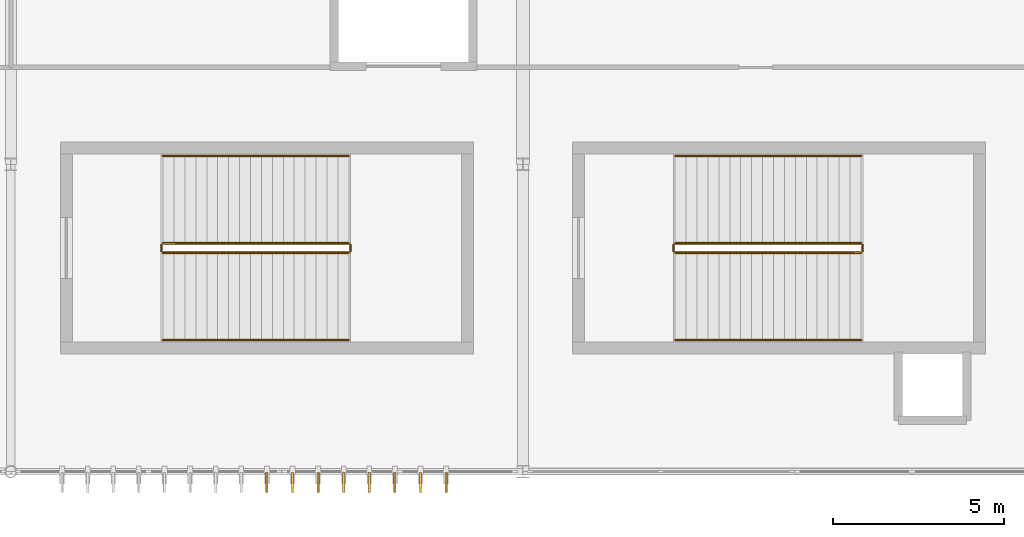
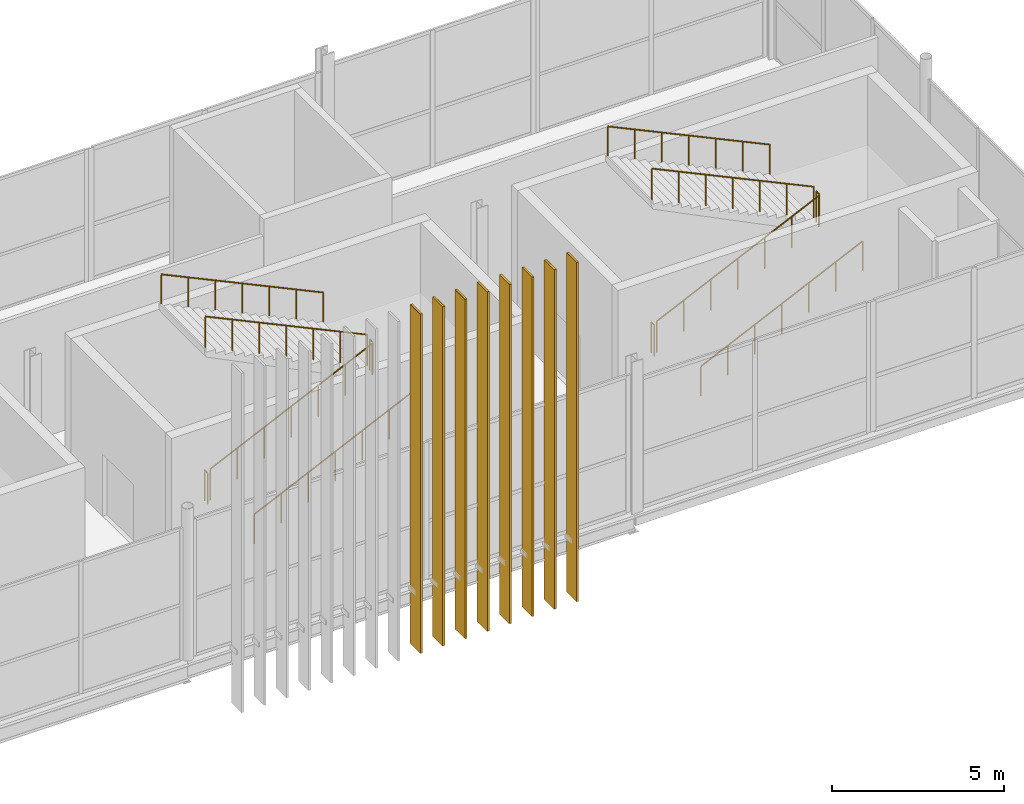
# One storey, part 107 of 119: 12 railings, 8 coverings, 8 shading devices.
"""IFC4 building model written with IfcOpenShell, lengths in metres."""

from ifc_helpers import new_model, si_unit, direction, frame, origin, origin_2d, place, context, subcontext, project, spatial, rectangle, circle, extrude, material, layer, layer_set, type_object, element, save


model = new_model("IFC4")

# Units and contexts
model_context = context("Model", 3, precision=1e-05, world=origin(), true_north=direction((0.0, 1.0)))
body_context = subcontext(model_context, "Body", "Model", "MODEL_VIEW")
ifc_project = project(units=[si_unit("LENGTHUNIT", "METRE"), si_unit("AREAUNIT", "SQUARE_METRE"), si_unit("VOLUMEUNIT", "CUBIC_METRE"), si_unit("PLANEANGLEUNIT", "RADIAN"), si_unit("MASSUNIT", "GRAM", prefix="KILO")], contexts=[model_context])

# Site, building, storey
site_placement = place(None, origin())
site = spatial("IfcSite", under=ifc_project, at=site_placement, CompositionType="ELEMENT")
building_placement = place(site_placement, origin())
building = spatial("IfcBuilding", under=site, at=building_placement, Name="Qamarlyn Nura Convention Centre", CompositionType="ELEMENT")
storey_placement = place(building_placement, frame((0.0, 0.0, 5.39990234375)))
storey = spatial("IfcBuildingStorey", under=building, at=storey_placement, Name="L01", CompositionType="ELEMENT", Elevation=5.39990234375)

# Coverings
ifc_material_1 = material(Name="UAE coastal limestone stone cladding", Category="masonry")
ifc_layer = layer(ifc_material_1, 0.044921875, Name="COV-PLINTH-LIME")
ifc_layer_set = layer_set([ifc_layer], Name="UAE coastal limestone stone cladding")
covering_type = type_object("IfcCoveringType", Name="COV-PLINTH-LIME", PredefinedType="CLADDING", material=ifc_layer_set)
for number, where, z_axis, x_axis, name in (
    (1, (97.5, -0.320068359375, -2.10009765625), (0.0, 0.0, 1.0), (0.0, -1.0, 0.0), "Entrance vertical blade casing CLUST-A-09"),
    (2, (98.25, -0.320068359375, -2.10009765625), (0.0, 0.0, 1.0), (0.0, -1.0, 0.0), "Entrance vertical blade casing CLUST-A-10"),
    (3, (99.0, -0.320068359375, -2.10009765625), (0.0, 0.0, 1.0), (0.0, -1.0, 0.0), "Entrance vertical blade casing CLUST-A-11"),
    (4, (99.75, -0.320068359375, -2.10009765625), (0.0, 0.0, 1.0), (0.0, -1.0, 0.0), "Entrance vertical blade casing CLUST-A-12"),
    (5, (100.5, -0.320068359375, -2.10009765625), (0.0, 0.0, 1.0), (0.0, -1.0, 0.0), "Entrance vertical blade casing CLUST-A-13"),
    (6, (101.25, -0.320068359375, -2.10009765625), (0.0, 0.0, 1.0), (0.0, -1.0, 0.0), "Entrance vertical blade casing CLUST-A-14"),
    (7, (102.0, -0.320068359375, -2.10009765625), (0.0, 0.0, 1.0), (0.0, -1.0, 0.0), "Entrance vertical blade casing CLUST-A-15"),
    (8, (102.75, -0.320068359375, -2.10009765625), (0.0, 0.0, 1.0), (0.0, -1.0, 0.0), "Entrance vertical blade casing CLUST-A-16"),
):
    element("IfcCovering", number, at=place(storey_placement, frame(where, z_axis=z_axis, x_axis=x_axis)), inside=storey, type_object=covering_type, Name=name, PredefinedType="CLADDING", context=body_context, shape_type="SweptSolid", body=[
        extrude(rectangle(XDim=0.5849609375, YDim=0.072021484375, at=origin_2d()), origin(), (0.0, 0.0, 1.0), 12.050048828125),
    ])

# Railings
ifc_material_2 = material(Name="Marine Grade 316 stainless steel", Category="steel")
railing_type_1 = type_object("IfcRailingType", Name="GRD-STAIR-112", PredefinedType="BALUSTRADE", material=ifc_material_2)
railing_1_placement = place(storey_placement, frame((94.4599609375, 6.409912109375, 0.150146484375)))
element("IfcRailing", 9, at=railing_1_placement, inside=storey, type_object=railing_type_1, Name="L01 ST-07 stair guard 1", PredefinedType="BALUSTRADE", context=body_context, shape_type="SweptSolid", body=[
    extrude(circle(Radius=0.02392578125, at=origin_2d()), frame((0.0, 0.0, 1.09619140625), z_axis=(0.90545405566, 0.0, 0.424444287379), x_axis=(0.0, 1.0, 0.0)), (0.0, 0.0, 1.0), 6.008056640625),
    extrude(circle(Radius=0.02099609375, at=origin_2d()), origin(), (0.0, 0.0, 1.0), 1.070068359375),
    extrude(circle(Radius=0.02099609375, at=origin_2d()), frame((0.90673828125, 0.0, 0.425048828125)), (0.0, 0.0, 1.0), 1.070068359375),
    extrude(circle(Radius=0.02099609375, at=origin_2d()), frame((1.813232421875, 0.0, 0.85009765625)), (0.0, 0.0, 1.0), 1.070068359375),
    extrude(circle(Radius=0.02099609375, at=origin_2d()), frame((2.719970703125, 0.0, 1.27490234375)), (0.0, 0.0, 1.0), 1.070068359375),
    extrude(circle(Radius=0.02099609375, at=origin_2d()), frame((3.626708984375, 0.0, 1.699951171875)), (0.0, 0.0, 1.0), 1.070068359375),
    extrude(circle(Radius=0.02099609375, at=origin_2d()), frame((4.533203125, 0.0, 2.125)), (0.0, 0.0, 1.0), 1.070068359375),
    extrude(circle(Radius=0.02099609375, at=origin_2d()), frame((5.43994140625, 0.0, 2.550048828125)), (0.0, 0.0, 1.0), 1.070068359375),
])
railing_2_placement = place(storey_placement, frame((99.949951171875, 6.4599609375, 2.7001953125)))
element("IfcRailing", 10, at=railing_2_placement, inside=storey, type_object=railing_type_1, Name="L01 ST-07 stair guard 2", PredefinedType="BALUSTRADE", context=body_context, shape_type="SweptSolid", body=[
    extrude(circle(Radius=0.02392578125, at=origin_2d()), frame((0.0, 0.0, 1.09619140625), z_axis=(0.0, 1.0, 0.0), x_axis=(-1.0, 0.0, 0.0)), (0.0, 0.0, 1.0), 0.179931640625),
    extrude(circle(Radius=0.02099609375, at=origin_2d()), origin(), (0.0, 0.0, 1.0), 1.070068359375),
    extrude(circle(Radius=0.02099609375, at=origin_2d()), frame((0.0, 0.179931640625, 0.0)), (0.0, 0.0, 1.0), 1.070068359375),
])
railing_3_placement = place(storey_placement, frame((99.89990234375, 6.68994140625, 2.85009765625)))
element("IfcRailing", 11, at=railing_3_placement, inside=storey, type_object=railing_type_1, Name="L01 ST-07 stair guard 3", PredefinedType="BALUSTRADE", context=body_context, shape_type="SweptSolid", body=[
    extrude(circle(Radius=0.02392578125, at=origin_2d()), frame((0.0, 0.0, 1.09619140625), z_axis=(-0.90545405566, 0.0, 0.424444287379), x_axis=(0.0, -1.0, 0.0)), (0.0, 0.0, 1.0), 6.008056640625),
    extrude(circle(Radius=0.02099609375, at=origin_2d()), origin(), (0.0, 0.0, 1.0), 1.070068359375),
    extrude(circle(Radius=0.02099609375, at=origin_2d()), frame((-0.90673828125, 0.0, 0.425048828125)), (0.0, 0.0, 1.0), 1.070068359375),
    extrude(circle(Radius=0.02099609375, at=origin_2d()), frame((-1.813232421875, 0.0, 0.85009765625)), (0.0, 0.0, 1.0), 1.070068359375),
    extrude(circle(Radius=0.02099609375, at=origin_2d()), frame((-2.719970703125, 0.0, 1.27490234375)), (0.0, 0.0, 1.0), 1.070068359375),
    extrude(circle(Radius=0.02099609375, at=origin_2d()), frame((-3.626708984375, 0.0, 1.699951171875)), (0.0, 0.0, 1.0), 1.070068359375),
    extrude(circle(Radius=0.02099609375, at=origin_2d()), frame((-4.533203125, 0.0, 2.125)), (0.0, 0.0, 1.0), 1.070068359375),
    extrude(circle(Radius=0.02099609375, at=origin_2d()), frame((-5.43994140625, 0.0, 2.550048828125)), (0.0, 0.0, 1.0), 1.070068359375),
])
railing_4_placement = place(storey_placement, frame((94.409912109375, 6.4599609375, 0.0)))
element("IfcRailing", 12, at=railing_4_placement, inside=storey, type_object=railing_type_1, Name="L01 ST-07 stair guard 4", PredefinedType="BALUSTRADE", context=body_context, shape_type="SweptSolid", body=[
    extrude(circle(Radius=0.02392578125, at=origin_2d()), frame((0.0, 0.0, 1.09619140625), z_axis=(0.0, 1.0, 0.0), x_axis=(-1.0, 0.0, 0.0)), (0.0, 0.0, 1.0), 0.179931640625),
    extrude(circle(Radius=0.02099609375, at=origin_2d()), origin(), (0.0, 0.0, 1.0), 1.070068359375),
    extrude(circle(Radius=0.02099609375, at=origin_2d()), frame((0.0, 0.179931640625, 0.0)), (0.0, 0.0, 1.0), 1.070068359375),
])
railing_5_placement = place(storey_placement, frame((109.4599609375, 6.409912109375, 0.150146484375)))
element("IfcRailing", 13, at=railing_5_placement, inside=storey, type_object=railing_type_1, Name="L01 ST-08 stair guard 1", PredefinedType="BALUSTRADE", context=body_context, shape_type="SweptSolid", body=[
    extrude(circle(Radius=0.02392578125, at=origin_2d()), frame((0.0, 0.0, 1.09619140625), z_axis=(0.90545405566, 0.0, 0.424444287379), x_axis=(0.0, 1.0, 0.0)), (0.0, 0.0, 1.0), 6.008056640625),
    extrude(circle(Radius=0.02099609375, at=origin_2d()), origin(), (0.0, 0.0, 1.0), 1.070068359375),
    extrude(circle(Radius=0.02099609375, at=origin_2d()), frame((0.90673828125, 0.0, 0.425048828125)), (0.0, 0.0, 1.0), 1.070068359375),
    extrude(circle(Radius=0.02099609375, at=origin_2d()), frame((1.813232421875, 0.0, 0.85009765625)), (0.0, 0.0, 1.0), 1.070068359375),
    extrude(circle(Radius=0.02099609375, at=origin_2d()), frame((2.719970703125, 0.0, 1.27490234375)), (0.0, 0.0, 1.0), 1.070068359375),
    extrude(circle(Radius=0.02099609375, at=origin_2d()), frame((3.626708984375, 0.0, 1.699951171875)), (0.0, 0.0, 1.0), 1.070068359375),
    extrude(circle(Radius=0.02099609375, at=origin_2d()), frame((4.533203125, 0.0, 2.125)), (0.0, 0.0, 1.0), 1.070068359375),
    extrude(circle(Radius=0.02099609375, at=origin_2d()), frame((5.43994140625, 0.0, 2.550048828125)), (0.0, 0.0, 1.0), 1.070068359375),
])
railing_6_placement = place(storey_placement, frame((114.949951171875, 6.4599609375, 2.7001953125)))
element("IfcRailing", 14, at=railing_6_placement, inside=storey, type_object=railing_type_1, Name="L01 ST-08 stair guard 2", PredefinedType="BALUSTRADE", context=body_context, shape_type="SweptSolid", body=[
    extrude(circle(Radius=0.02392578125, at=origin_2d()), frame((0.0, 0.0, 1.09619140625), z_axis=(0.0, 1.0, 0.0), x_axis=(-1.0, 0.0, 0.0)), (0.0, 0.0, 1.0), 0.179931640625),
    extrude(circle(Radius=0.02099609375, at=origin_2d()), origin(), (0.0, 0.0, 1.0), 1.070068359375),
    extrude(circle(Radius=0.02099609375, at=origin_2d()), frame((0.0, 0.179931640625, 0.0)), (0.0, 0.0, 1.0), 1.070068359375),
])
railing_7_placement = place(storey_placement, frame((114.89990234375, 6.68994140625, 2.85009765625)))
element("IfcRailing", 15, at=railing_7_placement, inside=storey, type_object=railing_type_1, Name="L01 ST-08 stair guard 3", PredefinedType="BALUSTRADE", context=body_context, shape_type="SweptSolid", body=[
    extrude(circle(Radius=0.02392578125, at=origin_2d()), frame((0.0, 0.0, 1.09619140625), z_axis=(-0.90545405566, 0.0, 0.424444287379), x_axis=(0.0, -1.0, 0.0)), (0.0, 0.0, 1.0), 6.008056640625),
    extrude(circle(Radius=0.02099609375, at=origin_2d()), origin(), (0.0, 0.0, 1.0), 1.070068359375),
    extrude(circle(Radius=0.02099609375, at=origin_2d()), frame((-0.90673828125, 0.0, 0.425048828125)), (0.0, 0.0, 1.0), 1.070068359375),
    extrude(circle(Radius=0.02099609375, at=origin_2d()), frame((-1.813232421875, 0.0, 0.85009765625)), (0.0, 0.0, 1.0), 1.070068359375),
    extrude(circle(Radius=0.02099609375, at=origin_2d()), frame((-2.719970703125, 0.0, 1.27490234375)), (0.0, 0.0, 1.0), 1.070068359375),
    extrude(circle(Radius=0.02099609375, at=origin_2d()), frame((-3.626708984375, 0.0, 1.699951171875)), (0.0, 0.0, 1.0), 1.070068359375),
    extrude(circle(Radius=0.02099609375, at=origin_2d()), frame((-4.533203125, 0.0, 2.125)), (0.0, 0.0, 1.0), 1.070068359375),
    extrude(circle(Radius=0.02099609375, at=origin_2d()), frame((-5.43994140625, 0.0, 2.550048828125)), (0.0, 0.0, 1.0), 1.070068359375),
])
railing_8_placement = place(storey_placement, frame((109.409912109375, 6.4599609375, 0.0)))
element("IfcRailing", 16, at=railing_8_placement, inside=storey, type_object=railing_type_1, Name="L01 ST-08 stair guard 4", PredefinedType="BALUSTRADE", context=body_context, shape_type="SweptSolid", body=[
    extrude(circle(Radius=0.02392578125, at=origin_2d()), frame((0.0, 0.0, 1.09619140625), z_axis=(0.0, 1.0, 0.0), x_axis=(-1.0, 0.0, 0.0)), (0.0, 0.0, 1.0), 0.179931640625),
    extrude(circle(Radius=0.02099609375, at=origin_2d()), origin(), (0.0, 0.0, 1.0), 1.070068359375),
    extrude(circle(Radius=0.02099609375, at=origin_2d()), frame((0.0, 0.179931640625, 0.0)), (0.0, 0.0, 1.0), 1.070068359375),
])
railing_type_2 = type_object("IfcRailingType", Name="HRL-STAIR-090", PredefinedType="HANDRAIL", material=ifc_material_2)
railing_9_placement = place(storey_placement, frame((94.4599609375, 3.85009765625, 0.302490234375)))
element("IfcRailing", 17, at=railing_9_placement, inside=storey, type_object=railing_type_2, Name="L01 ST-07 stair handrail 1", PredefinedType="HANDRAIL", context=body_context, shape_type="SweptSolid", body=[
    extrude(circle(Radius=0.02392578125, at=origin_2d()), frame((0.0, 0.0, 0.88818359375), z_axis=(0.90546967238, 0.0, 0.424410971113), x_axis=(0.0, 1.0, 0.0)), (0.0, 0.0, 1.0), 6.0078125),
    extrude(circle(Radius=0.02099609375, at=origin_2d()), frame((0.0, 0.0, -0.155029296875)), (0.0, 0.0, 1.0), 1.01708984375),
    extrude(circle(Radius=0.02099609375, at=origin_2d()), frame((0.90673828125, 0.0, 0.27001953125)), (0.0, 0.0, 1.0), 1.01708984375),
    extrude(circle(Radius=0.02099609375, at=origin_2d()), frame((1.813232421875, 0.0, 0.69482421875)), (0.0, 0.0, 1.0), 1.01708984375),
    extrude(circle(Radius=0.02099609375, at=origin_2d()), frame((2.719970703125, 0.0, 1.119873046875)), (0.0, 0.0, 1.0), 1.01708984375),
    extrude(circle(Radius=0.02099609375, at=origin_2d()), frame((3.626708984375, 0.0, 1.544921875)), (0.0, 0.0, 1.0), 1.01708984375),
    extrude(circle(Radius=0.02099609375, at=origin_2d()), frame((4.533203125, 0.0, 1.9697265625)), (0.0, 0.0, 1.0), 1.01708984375),
    extrude(circle(Radius=0.02099609375, at=origin_2d()), frame((5.43994140625, 0.0, 2.394775390625)), (0.0, 0.0, 1.0), 1.01708984375),
])
railing_10_placement = place(storey_placement, frame((99.89990234375, 9.25, 3.00244140625)))
element("IfcRailing", 18, at=railing_10_placement, inside=storey, type_object=railing_type_2, Name="L01 ST-07 stair handrail 2", PredefinedType="HANDRAIL", context=body_context, shape_type="SweptSolid", body=[
    extrude(circle(Radius=0.02392578125, at=origin_2d()), frame((0.0, 0.0, 0.88818359375), z_axis=(-0.90545405566, 0.0, 0.424444287379), x_axis=(0.0, -1.0, 0.0)), (0.0, 0.0, 1.0), 6.008056640625),
    extrude(circle(Radius=0.02099609375, at=origin_2d()), frame((0.0, 0.0, -0.155029296875)), (0.0, 0.0, 1.0), 1.01708984375),
    extrude(circle(Radius=0.02099609375, at=origin_2d()), frame((-0.90673828125, 0.0, 0.27001953125)), (0.0, 0.0, 1.0), 1.01708984375),
    extrude(circle(Radius=0.02099609375, at=origin_2d()), frame((-1.813232421875, 0.0, 0.695068359375)), (0.0, 0.0, 1.0), 1.01708984375),
    extrude(circle(Radius=0.02099609375, at=origin_2d()), frame((-2.719970703125, 0.0, 1.1201171875)), (0.0, 0.0, 1.0), 1.01708984375),
    extrude(circle(Radius=0.02099609375, at=origin_2d()), frame((-3.626708984375, 0.0, 1.544921875)), (0.0, 0.0, 1.0), 1.01708984375),
    extrude(circle(Radius=0.02099609375, at=origin_2d()), frame((-4.533203125, 0.0, 1.969970703125)), (0.0, 0.0, 1.0), 1.01708984375),
    extrude(circle(Radius=0.02099609375, at=origin_2d()), frame((-5.43994140625, 0.0, 2.39501953125)), (0.0, 0.0, 1.0), 1.01708984375),
])
railing_11_placement = place(storey_placement, frame((109.4599609375, 3.85009765625, 0.302490234375)))
element("IfcRailing", 19, at=railing_11_placement, inside=storey, type_object=railing_type_2, Name="L01 ST-08 stair handrail 1", PredefinedType="HANDRAIL", context=body_context, shape_type="SweptSolid", body=[
    extrude(circle(Radius=0.02392578125, at=origin_2d()), frame((0.0, 0.0, 0.88818359375), z_axis=(0.90546967238, 0.0, 0.424410971113), x_axis=(0.0, 1.0, 0.0)), (0.0, 0.0, 1.0), 6.0078125),
    extrude(circle(Radius=0.02099609375, at=origin_2d()), frame((0.0, 0.0, -0.155029296875)), (0.0, 0.0, 1.0), 1.01708984375),
    extrude(circle(Radius=0.02099609375, at=origin_2d()), frame((0.90673828125, 0.0, 0.27001953125)), (0.0, 0.0, 1.0), 1.01708984375),
    extrude(circle(Radius=0.02099609375, at=origin_2d()), frame((1.813232421875, 0.0, 0.69482421875)), (0.0, 0.0, 1.0), 1.01708984375),
    extrude(circle(Radius=0.02099609375, at=origin_2d()), frame((2.719970703125, 0.0, 1.119873046875)), (0.0, 0.0, 1.0), 1.01708984375),
    extrude(circle(Radius=0.02099609375, at=origin_2d()), frame((3.626708984375, 0.0, 1.544921875)), (0.0, 0.0, 1.0), 1.01708984375),
    extrude(circle(Radius=0.02099609375, at=origin_2d()), frame((4.533203125, 0.0, 1.9697265625)), (0.0, 0.0, 1.0), 1.01708984375),
    extrude(circle(Radius=0.02099609375, at=origin_2d()), frame((5.43994140625, 0.0, 2.394775390625)), (0.0, 0.0, 1.0), 1.01708984375),
])
railing_12_placement = place(storey_placement, frame((114.89990234375, 9.25, 3.00244140625)))
element("IfcRailing", 20, at=railing_12_placement, inside=storey, type_object=railing_type_2, Name="L01 ST-08 stair handrail 2", PredefinedType="HANDRAIL", context=body_context, shape_type="SweptSolid", body=[
    extrude(circle(Radius=0.02392578125, at=origin_2d()), frame((0.0, 0.0, 0.88818359375), z_axis=(-0.90545405566, 0.0, 0.424444287379), x_axis=(0.0, -1.0, 0.0)), (0.0, 0.0, 1.0), 6.008056640625),
    extrude(circle(Radius=0.02099609375, at=origin_2d()), frame((0.0, 0.0, -0.155029296875)), (0.0, 0.0, 1.0), 1.01708984375),
    extrude(circle(Radius=0.02099609375, at=origin_2d()), frame((-0.90673828125, 0.0, 0.27001953125)), (0.0, 0.0, 1.0), 1.01708984375),
    extrude(circle(Radius=0.02099609375, at=origin_2d()), frame((-1.813232421875, 0.0, 0.695068359375)), (0.0, 0.0, 1.0), 1.01708984375),
    extrude(circle(Radius=0.02099609375, at=origin_2d()), frame((-2.719970703125, 0.0, 1.1201171875)), (0.0, 0.0, 1.0), 1.01708984375),
    extrude(circle(Radius=0.02099609375, at=origin_2d()), frame((-3.626708984375, 0.0, 1.544921875)), (0.0, 0.0, 1.0), 1.01708984375),
    extrude(circle(Radius=0.02099609375, at=origin_2d()), frame((-4.533203125, 0.0, 1.969970703125)), (0.0, 0.0, 1.0), 1.01708984375),
    extrude(circle(Radius=0.02099609375, at=origin_2d()), frame((-5.43994140625, 0.0, 2.39501953125)), (0.0, 0.0, 1.0), 1.01708984375),
])

# Shading devices
ifc_material_3 = material(Name="Champagne-anodised marine aluminium", Category="aluminium")
shading_device_type = type_object("IfcShadingDeviceType", Name="SHD-ENT-FIN", PredefinedType="USERDEFINED", material=ifc_material_3)
for number, where, z_axis, x_axis, name in (
    (21, (97.5, -0.320068359375, -2.10009765625), (0.0, 0.0, 1.0), (0.0, -1.0, 0.0), "Entrance vertical solar blade CLUST-A-09"),
    (22, (98.25, -0.320068359375, -2.10009765625), (0.0, 0.0, 1.0), (0.0, -1.0, 0.0), "Entrance vertical solar blade CLUST-A-10"),
    (23, (99.0, -0.320068359375, -2.10009765625), (0.0, 0.0, 1.0), (0.0, -1.0, 0.0), "Entrance vertical solar blade CLUST-A-11"),
    (24, (99.75, -0.320068359375, -2.10009765625), (0.0, 0.0, 1.0), (0.0, -1.0, 0.0), "Entrance vertical solar blade CLUST-A-12"),
    (25, (100.5, -0.320068359375, -2.10009765625), (0.0, 0.0, 1.0), (0.0, -1.0, 0.0), "Entrance vertical solar blade CLUST-A-13"),
    (26, (101.25, -0.320068359375, -2.10009765625), (0.0, 0.0, 1.0), (0.0, -1.0, 0.0), "Entrance vertical solar blade CLUST-A-14"),
    (27, (102.0, -0.320068359375, -2.10009765625), (0.0, 0.0, 1.0), (0.0, -1.0, 0.0), "Entrance vertical solar blade CLUST-A-15"),
    (28, (102.75, -0.320068359375, -2.10009765625), (0.0, 0.0, 1.0), (0.0, -1.0, 0.0), "Entrance vertical solar blade CLUST-A-16"),
):
    element("IfcShadingDevice", number, at=place(storey_placement, frame(where, z_axis=z_axis, x_axis=x_axis)), inside=storey, type_object=shading_device_type, Name=name, ObjectType="FIN", PredefinedType="USERDEFINED", context=body_context, shape_type="SweptSolid", body=[
        extrude(rectangle(XDim=0.580078125, YDim=0.06494140625, at=origin_2d()), origin(), (0.0, 0.0, 1.0), 12.050048828125),
    ])

save(model, "model.ifc")
